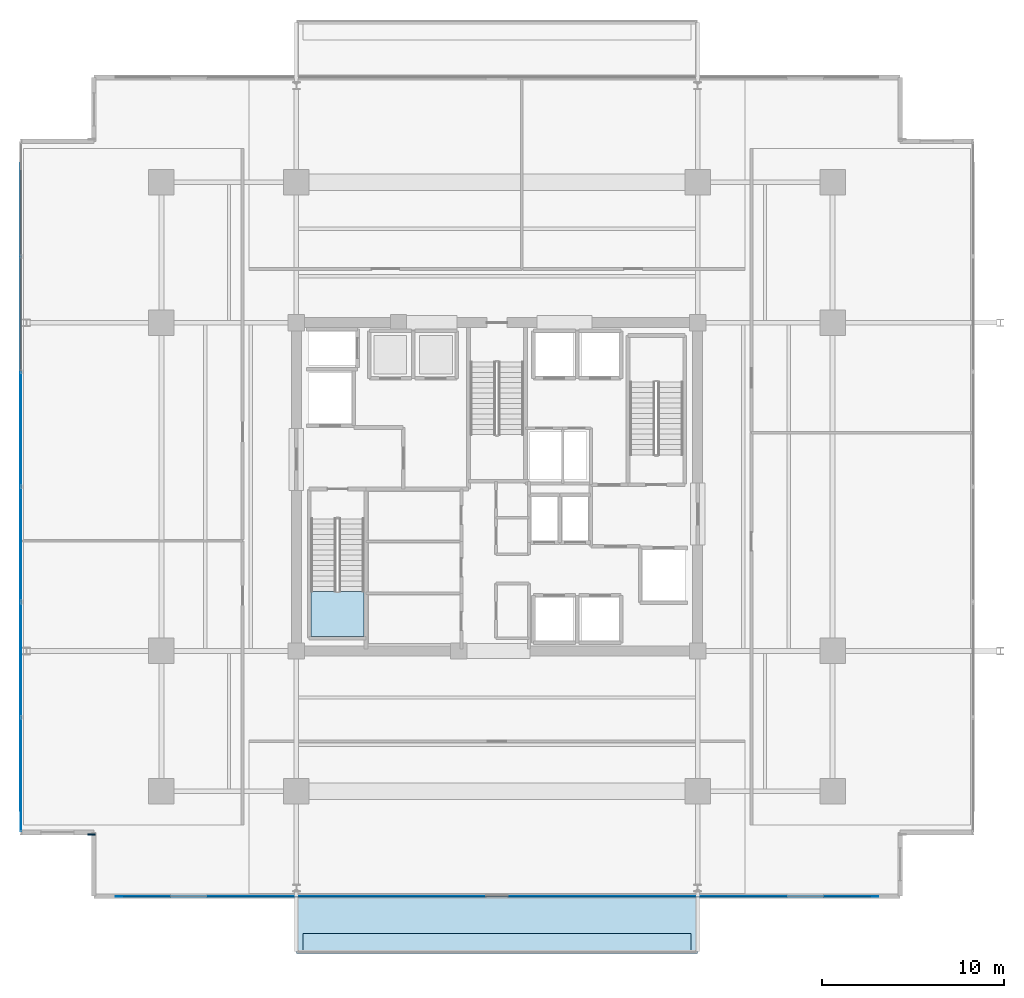
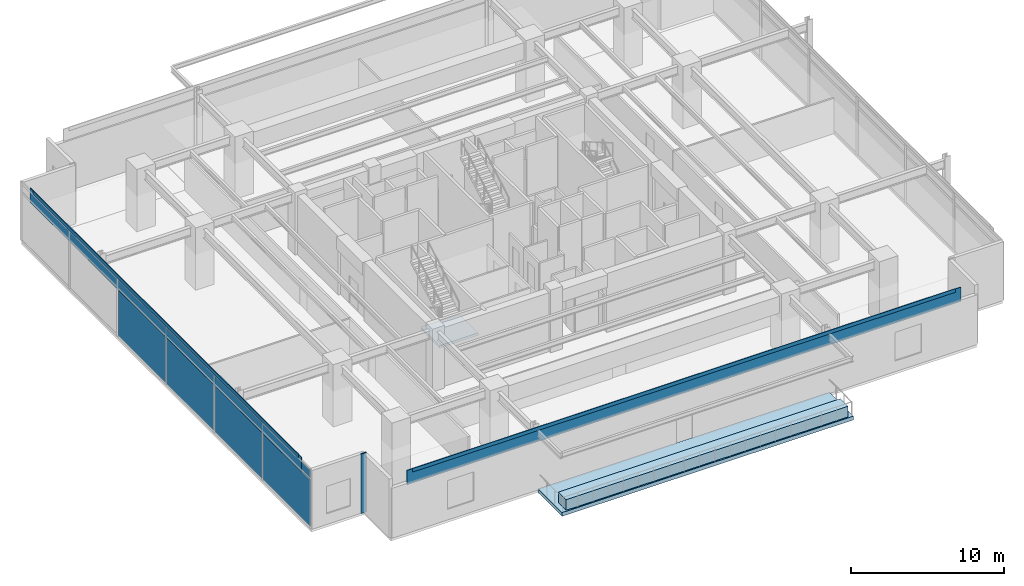
# One storey, part 13 of 25: 13 plates, 3 slabs, 2 elements without a shape of their own.
"""IFC4 building model written with IfcOpenShell, lengths in metres."""

from ifc_helpers import new_model, si_unit, direction, frame, origin, origin_2d, place, context, subcontext, project, spatial, polyline, rectangle, outline, extrude, material, layer, layer_set, type_object, element, aggregate, save


model = new_model("IFC4")

# Units and contexts
model_context = context("Model", 3, precision=1e-05, world=origin(), true_north=direction((0.0, 1.0)))
body_context = subcontext(model_context, "Body", "Model", "MODEL_VIEW")
ifc_project = project(units=[si_unit("LENGTHUNIT", "METRE"), si_unit("AREAUNIT", "SQUARE_METRE"), si_unit("VOLUMEUNIT", "CUBIC_METRE"), si_unit("PLANEANGLEUNIT", "RADIAN"), si_unit("MASSUNIT", "GRAM", prefix="KILO")], contexts=[model_context])

# Site, building, storey
site_placement = place(None, origin())
site = spatial("IfcSite", under=ifc_project, at=site_placement, CompositionType="ELEMENT")
building_placement = place(site_placement, origin())
building = spatial("IfcBuilding", under=site, at=building_placement, Name="Kovane Verandah Tower", CompositionType="ELEMENT")
storey_placement = place(building_placement, frame((0.0, 0.0, 233.199951171875)))
storey = spatial("IfcBuildingStorey", under=building, at=storey_placement, Name="L54", CompositionType="ELEMENT", Elevation=233.199951171875)

# Curtain wall, plates
ifc_material_1 = material(Name="Champagne Anodised Aluminium Frame with Low-E Clear Laminated Glass", Category="aluminium")
curtain_wall_type = type_object("IfcCurtainWallType", Name="CW-SYS-03-MID", PredefinedType="NOTDEFINED", material=ifc_material_1)
curtain_wall_placement = place(storey_placement, origin())
curtain_wall = element("IfcCurtainWall", 1, at=curtain_wall_placement, inside=storey, type_object=curtain_wall_type, Name="L54 W Unitised Curtain Wall", PredefinedType="NOTDEFINED")
ifc_material_2 = material(Name="Pale Champagne Anodised Aluminium Insulated Spandrel", Category="aluminium")
ifc_layer_1 = layer(ifc_material_2, 0.0400390625)
ifc_layer_set_1 = layer_set([ifc_layer_1], Name="Pale Champagne Anodised Aluminium Insulated Spandrel")
plate_type_1 = type_object("IfcPlateType", Name="PL-CW-SPD-40", PredefinedType="SHEET", material=ifc_layer_set_1)
plate_1_placement = place(storey_placement, frame((13.892822265625, 30.658203125, 3.97021484375), z_axis=(0.0, 0.0, 1.0), x_axis=(0.0, -1.0, 0.0)))
plate_1 = element("IfcPlate", 2, at=plate_1_placement, type_object=plate_type_1, Name="L54 W Unitised Curtain Wall Spandrel Panel 3", PredefinedType="SHEET", context=body_context, shape_type="SweptSolid", body=[
    extrude(rectangle(XDim=6.176513671875, YDim=0.0400390625, at=origin_2d()), origin(), (0.0, 0.0, 1.0), 0.639892578125),
])
plate_2_placement = place(storey_placement, frame((13.892822265625, 24.341796875, 3.97021484375), z_axis=(0.0, 0.0, 1.0), x_axis=(0.0, -1.0, 0.0)))
plate_2 = element("IfcPlate", 3, at=plate_2_placement, type_object=plate_type_1, Name="L54 W Unitised Curtain Wall Spandrel Panel 4", PredefinedType="SHEET", context=body_context, shape_type="SweptSolid", body=[
    extrude(rectangle(XDim=6.176513671875, YDim=0.0400390625, at=origin_2d()), origin(), (0.0, 0.0, 1.0), 0.639892578125),
])
plate_3_placement = place(storey_placement, frame((13.892822265625, 18.025146484375, 3.97021484375), z_axis=(0.0, 0.0, 1.0), x_axis=(0.0, -1.0, 0.0)))
plate_3 = element("IfcPlate", 4, at=plate_3_placement, type_object=plate_type_1, Name="L54 W Unitised Curtain Wall Spandrel Panel 5", PredefinedType="SHEET", context=body_context, shape_type="SweptSolid", body=[
    extrude(rectangle(XDim=6.176513671875, YDim=0.0400390625, at=origin_2d()), origin(), (0.0, 0.0, 1.0), 0.639892578125),
])
plate_4_placement = place(storey_placement, frame((13.892822265625, 11.708740234375, 3.97021484375), z_axis=(0.0, 0.0, 1.0), x_axis=(0.0, -1.0, 0.0)))
plate_4 = element("IfcPlate", 5, at=plate_4_placement, type_object=plate_type_1, Name="L54 W Unitised Curtain Wall Spandrel Panel 6", PredefinedType="SHEET", context=body_context, shape_type="SweptSolid", body=[
    extrude(rectangle(XDim=6.176513671875, YDim=0.0400390625, at=origin_2d()), origin(), (0.0, 0.0, 1.0), 0.639892578125),
])
ifc_material_3 = material(Name="Clear Low-E Laminated Double Glazing", Category="glass")
ifc_layer_2 = layer(ifc_material_3, 0.031982421875)
ifc_layer_set_2 = layer_set([ifc_layer_2], Name="Clear Low-E Laminated Double Glazing")
plate_type_2 = type_object("IfcPlateType", Name="PL-CW-VIS-32", PredefinedType="CURTAIN_PANEL", material=ifc_layer_set_2)
plate_5_placement = place(storey_placement, frame((13.892822265625, 30.658203125, 0.10009765625), z_axis=(0.0, 0.0, 1.0), x_axis=(0.0, -1.0, 0.0)))
plate_5 = element("IfcPlate", 6, at=plate_5_placement, type_object=plate_type_2, Name="L54 W Unitised Curtain Wall Vision Panel 3", PredefinedType="CURTAIN_PANEL", context=body_context, shape_type="SweptSolid", body=[
    extrude(rectangle(XDim=6.176513671875, YDim=0.031982421875, at=origin_2d()), origin(), (0.0, 0.0, 1.0), 3.77001953125),
])
plate_6_placement = place(storey_placement, frame((13.892822265625, 24.341796875, 0.10009765625), z_axis=(0.0, 0.0, 1.0), x_axis=(0.0, -1.0, 0.0)))
plate_6 = element("IfcPlate", 7, at=plate_6_placement, type_object=plate_type_2, Name="L54 W Unitised Curtain Wall Vision Panel 4", PredefinedType="CURTAIN_PANEL", context=body_context, shape_type="SweptSolid", body=[
    extrude(rectangle(XDim=6.176513671875, YDim=0.031982421875, at=origin_2d()), origin(), (0.0, 0.0, 1.0), 3.77001953125),
])
plate_7_placement = place(storey_placement, frame((13.892822265625, 18.025146484375, 0.10009765625), z_axis=(0.0, 0.0, 1.0), x_axis=(0.0, -1.0, 0.0)))
plate_7 = element("IfcPlate", 8, at=plate_7_placement, type_object=plate_type_2, Name="L54 W Unitised Curtain Wall Vision Panel 5", PredefinedType="CURTAIN_PANEL", context=body_context, shape_type="SweptSolid", body=[
    extrude(rectangle(XDim=6.176513671875, YDim=0.031982421875, at=origin_2d()), origin(), (0.0, 0.0, 1.0), 3.77001953125),
])
plate_8_placement = place(storey_placement, frame((13.892822265625, 11.708740234375, 0.10009765625), z_axis=(0.0, 0.0, 1.0), x_axis=(0.0, -1.0, 0.0)))
plate_8 = element("IfcPlate", 9, at=plate_8_placement, type_object=plate_type_2, Name="L54 W Unitised Curtain Wall Vision Panel 6", PredefinedType="CURTAIN_PANEL", context=body_context, shape_type="SweptSolid", body=[
    extrude(rectangle(XDim=6.176513671875, YDim=0.031982421875, at=origin_2d()), origin(), (0.0, 0.0, 1.0), 3.77001953125),
])
aggregate(curtain_wall, [plate_5, plate_1, plate_6, plate_2, plate_7, plate_3, plate_8, plate_4])

# Plates
ifc_material_4 = material(Name="Timber-Toned Subtropical Aluminium Vertical Blade", Category="wood")
ifc_layer_3 = layer(ifc_material_4, 0.090087890625)
ifc_layer_set_3 = layer_set([ifc_layer_3], Name="Timber-Toned Subtropical Aluminium Vertical Blade")
plate_type_3 = type_object("IfcPlateType", Name="PL-FIN-90", PredefinedType="USERDEFINED", material=ifc_layer_set_3)
plate_9_placement = place(storey_placement, frame((17.772705078125, 8.430419921875, -0.02001953125), z_axis=(0.0, 0.0, 1.0), x_axis=(1.0, 0.0, 0.0)))
element("IfcPlate", 10, at=plate_9_placement, inside=storey, type_object=plate_type_3, Name="L54 SW Timber-Toned Vertical Corner Fin", ObjectType="FIN", PredefinedType="USERDEFINED", context=body_context, shape_type="SweptSolid", body=[
    extrude(rectangle(XDim=0.419921875, YDim=0.090087890625, at=origin_2d()), origin(), (0.0, 0.0, 1.0), 4.760009765625),
])
ifc_material_5 = material(Name="Perforated Pale Champagne Anodised Aluminium Solar Screen", Category="aluminium")
ifc_layer_4 = layer(ifc_material_5, 0.050048828125)
ifc_layer_set_4 = layer_set([ifc_layer_4], Name="Perforated Pale Champagne Anodised Aluminium Solar Screen")
plate_type_4 = type_object("IfcPlateType", Name="PL-SCREEN-50", PredefinedType="USERDEFINED", material=ifc_layer_set_4)
plate_10_placement = place(storey_placement, frame((40.0, 5.035400390625, 3.800048828125), z_axis=(0.0, 0.0, 1.0), x_axis=(1.0, 0.0, 0.0)))
element("IfcPlate", 11, at=plate_10_placement, inside=storey, type_object=plate_type_4, Name="L54 S Perforated Champagne-Gold Solar Screen", ObjectType="SCREEN", PredefinedType="USERDEFINED", context=body_context, shape_type="SweptSolid", body=[
    extrude(rectangle(XDim=41.81396484375, YDim=0.050048828125, at=origin_2d()), origin(), (0.0, 0.0, 1.0), 1.14990234375),
])
plate_11_placement = place(storey_placement, frame((13.877685546875, 27.5, 3.800048828125), z_axis=(0.0, 0.0, 1.0), x_axis=(0.0, -1.0, 0.0)))
element("IfcPlate", 12, at=plate_11_placement, inside=storey, type_object=plate_type_4, Name="L54 W Perforated Champagne-Gold Solar Screen", ObjectType="SCREEN", PredefinedType="USERDEFINED", context=body_context, shape_type="SweptSolid", body=[
    extrude(rectangle(XDim=35.4990234375, YDim=0.050048828125, at=origin_2d()), origin(), (0.0, 0.0, 1.0), 1.14990234375),
])
ifc_material_6 = material(Name="Extruded Pale-Bronze Aluminium Aerofoil Sunshade", Category="aluminium")
ifc_layer_5 = layer(ifc_material_6, 0.06005859375)
ifc_layer_set_5 = layer_set([ifc_layer_5], Name="Extruded Pale-Bronze Aluminium Aerofoil Sunshade")
plate_type_5 = type_object("IfcPlateType", Name="PL-SUNSHADE-60", PredefinedType="USERDEFINED", material=ifc_layer_set_5)
plate_12_placement = place(storey_placement, frame((40.0, 5.030517578125, 4.68017578125), z_axis=(0.0, 0.0, 1.0), x_axis=(1.0, 0.0, 0.0)))
element("IfcPlate", 13, at=plate_12_placement, inside=storey, type_object=plate_type_5, Name="L54 S Subtropical Aerofoil Sunshade", ObjectType="SUNSHADE", PredefinedType="USERDEFINED", context=body_context, shape_type="SweptSolid", body=[
    extrude(rectangle(XDim=41.013916015625, YDim=0.06005859375, at=origin_2d()), origin(), (0.0, 0.0, 1.0), 0.280029296875),
])
plate_13_placement = place(storey_placement, frame((13.872802734375, 27.5, 4.68017578125), z_axis=(0.0, 0.0, 1.0), x_axis=(0.0, -1.0, 0.0)))
element("IfcPlate", 14, at=plate_13_placement, inside=storey, type_object=plate_type_5, Name="L54 W Subtropical Aerofoil Sunshade", ObjectType="SUNSHADE", PredefinedType="USERDEFINED", context=body_context, shape_type="SweptSolid", body=[
    extrude(rectangle(XDim=34.698974609375, YDim=0.06005859375, at=origin_2d()), origin(), (0.0, 0.0, 1.0), 0.280029296875),
])

# Slab
ifc_material_7 = material(Name="Concrete C45/55", Category="concrete")
ifc_layer_6 = layer(ifc_material_7, 0.300048828125)
ifc_layer_set_6 = layer_set([ifc_layer_6], Name="Concrete C45/55")
slab_type_1 = type_object("IfcSlabType", Name="SL-BALC-300", PredefinedType="FLOOR", material=ifc_layer_set_6)
slab_1_placement = place(storey_placement, frame((0.0, 0.0, -0.300048828125)))
element("IfcSlab", 15, at=slab_1_placement, inside=storey, type_object=slab_type_1, Name="L54 S Planted Verandah Balcony Slab", PredefinedType="FLOOR", context=body_context, shape_type="SweptSolid", body=[
    extrude(outline(polyline([(29.0, 1.900390625), (51.0, 1.900390625), (51.0, 5.05029296875), (29.0, 5.05029296875), (29.0, 1.900390625)])), origin(), (0.0, 0.0, 1.0), 0.300048828125),
])

# Stair, slab
stair_type = type_object("IfcStairType", Name="ST-CORE-1380", PredefinedType="HALF_TURN_STAIR", material=ifc_material_7)
stair_placement = place(storey_placement, origin())
stair = element("IfcStair", 16, at=stair_placement, inside=storey, type_object=stair_type, Name="L54 Exit Stair ST-01", PredefinedType="HALF_TURN_STAIR")
ifc_layer_7 = layer(ifc_material_7, 0.199951171875)
ifc_layer_set_7 = layer_set([ifc_layer_7], Name="Concrete C45/55")
slab_type_2 = type_object("IfcSlabType", Name="SL-LAND-200", PredefinedType="LANDING", material=ifc_layer_set_7)
slab_2_placement = place(storey_placement, frame((0.0, 0.0, 2.300048828125)))
slab_2 = element("IfcSlab", 17, at=slab_2_placement, type_object=slab_type_2, Name="ST-01 landing 1", PredefinedType="LANDING", context=body_context, shape_type="SweptSolid", body=[
    extrude(outline(polyline([(29.800048828125, 21.760009765625), (29.800048828125, 19.300048828125), (32.719970703125, 19.300048828125), (32.719970703125, 21.760009765625), (29.800048828125, 21.760009765625)])), origin(), (0.0, 0.0, 1.0), 0.199951171875),
])
aggregate(stair, [slab_2])

# Slab
ifc_material_8 = material(Name="Architectural Precast Concrete C45/55 Planter Trough", Category="concrete")
ifc_layer_8 = layer(ifc_material_8, 0.219970703125)
ifc_layer_set_8 = layer_set([ifc_layer_8], Name="Architectural Precast Concrete C45/55 Planter Trough")
slab_type_3 = type_object("IfcSlabType", Name="SL-PLANTER-220", PredefinedType="USERDEFINED", material=ifc_layer_set_8)
slab_3_placement = place(storey_placement, origin())
element("IfcSlab", 18, at=slab_3_placement, inside=storey, type_object=slab_type_3, Name="L54 S Structural Tree Planter", ObjectType="PLANTER", PredefinedType="USERDEFINED", context=body_context, shape_type="SweptSolid", body=[
    extrude(outline(polyline([(29.35009765625, 2.00048828125), (50.64990234375, 2.00048828125), (50.64990234375, 3.00048828125), (29.35009765625, 3.00048828125), (29.35009765625, 2.00048828125)])), origin(), (0.0, 0.0, 1.0), 0.85009765625),
])

save(model, "model.ifc")
